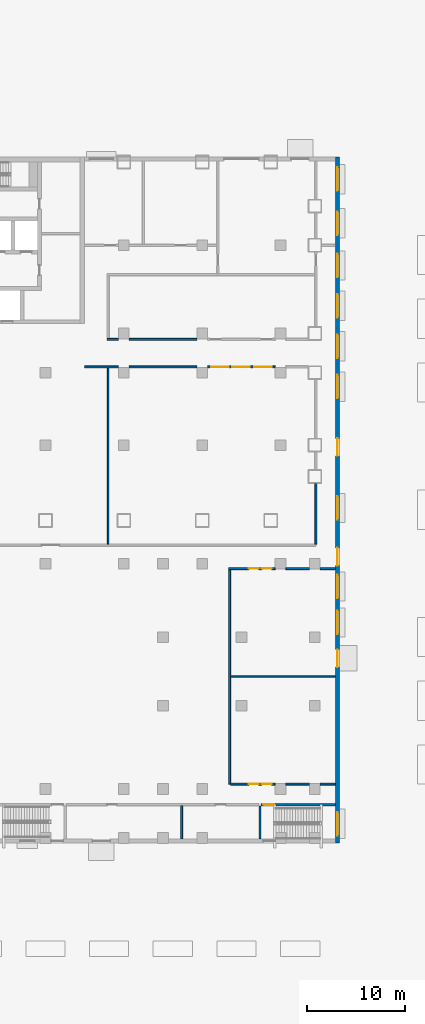
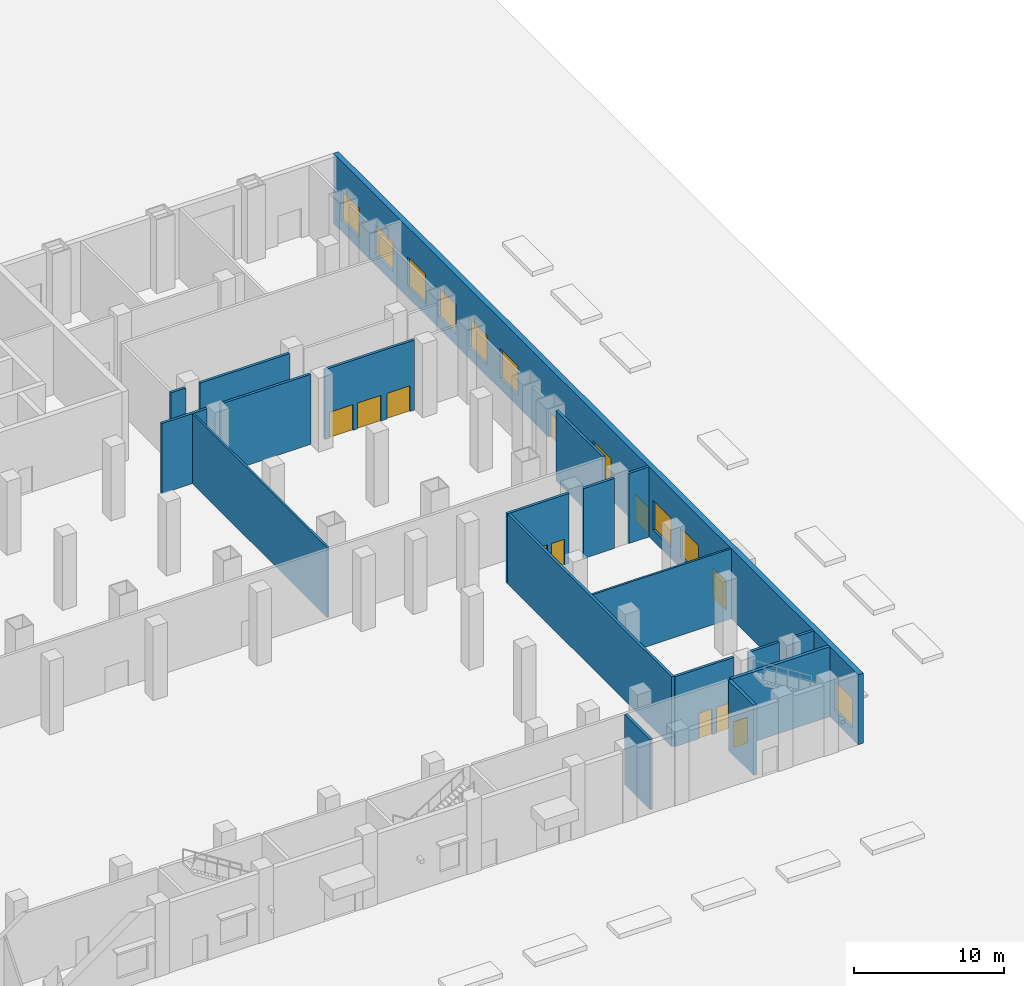
# One storey, part 6 of 18: 19 walls, 11 doors, 10 windows, 21 openings.
"""IFC4 building model written with IfcOpenShell, lengths in metres."""

from ifc_helpers import new_model, si_unit, direction, frame, frame_2d, origin, place, context, subcontext, project, spatial, rectangle, extrude, material, layer, layer_set, type_object, element, fill, save


model = new_model("IFC4")

# Units and contexts
model_context = context("Model", 3, precision=1e-05, world=origin(), true_north=direction((0.0, 1.0)))
body_context = subcontext(model_context, "Body", "Model", "MODEL_VIEW")
ifc_project = project(units=[si_unit("LENGTHUNIT", "METRE"), si_unit("AREAUNIT", "SQUARE_METRE"), si_unit("VOLUMEUNIT", "CUBIC_METRE"), si_unit("PLANEANGLEUNIT", "RADIAN"), si_unit("MASSUNIT", "GRAM", prefix="KILO")], contexts=[model_context])

# Site, building, storey
site_placement = place(None, origin())
site = spatial("IfcSite", under=ifc_project, at=site_placement, CompositionType="ELEMENT")
building_placement = place(site_placement, origin())
building = spatial("IfcBuilding", under=site, at=building_placement, Name="Vidyagriha Tower", CompositionType="ELEMENT")
storey_placement = place(building_placement, origin())
storey = spatial("IfcBuildingStorey", under=building, at=storey_placement, Name="L00", CompositionType="ELEMENT", Elevation=0.0)

# Wall, openings, doors, windows
ifc_material_1 = material(Name="Concrete C40/50 board-marked with brick facing", Category="concrete")
ifc_layer_1 = layer(ifc_material_1, 0.39990234375)
ifc_layer_set_1 = layer_set([ifc_layer_1], Name="Concrete C40/50 board-marked with brick facing")
wall_type_1 = type_object("IfcWallType", Name="Brick-faced board-marked concrete podium wall 400", PredefinedType="STANDARD", material=ifc_layer_set_1)
wall_1_placement = place(storey_placement, frame((39.800048828125, -50.0, 0.0), z_axis=(0.0, 0.0, 1.0), x_axis=(0.0, 1.0, 0.0)))
wall_1 = element("IfcWall", 1, at=wall_1_placement, inside=storey, type_object=wall_type_1, Name="Podium wall L00 R01", PredefinedType="STANDARD", context=body_context, shape_type="SweptSolid", body=[
    extrude(rectangle(XDim=70.0, YDim=0.39990234375, at=frame_2d((35.0, 0.0))), origin(), (0.0, 0.0, 1.0), 5.699951171875),
])
opening_1_placement = place(wall_1_placement, frame((17.933349609375, 0.0, 0.0)))
opening_1 = element("IfcOpeningElement", 2, at=opening_1_placement, cuts=wall_1, Name="Opening D00-01", PredefinedType="OPENING", context=body_context, shape_type="SweptSolid", body=[
    extrude(rectangle(XDim=1.800048828125, YDim=2.39990234375, at=frame_2d((0.89990234375, 1.199951171875))), frame((0.0, 0.2099609375, 0.0), z_axis=(0.0, -1.0, 0.0), x_axis=(1.0, 0.0, 0.0)), (0.0, 0.0, 1.0), 0.419921875),
])
opening_2_placement = place(wall_1_placement, frame((0.75, 0.0, 0.89990234375)))
opening_2 = element("IfcOpeningElement", 3, at=opening_2_placement, cuts=wall_1, Name="Opening WN4", PredefinedType="OPENING", context=body_context, shape_type="SweptSolid", body=[
    extrude(rectangle(XDim=2.39990234375, YDim=2.39990234375, at=frame_2d((1.199951171875, 1.199951171875))), frame((0.0, 0.2099609375, 0.0), z_axis=(0.0, -1.0, 0.0), x_axis=(1.0, 0.0, 0.0)), (0.0, 0.0, 1.0), 0.419921875),
])
opening_3_placement = place(wall_1_placement, frame((21.300048828125, 0.0, 0.89990234375)))
opening_3 = element("IfcOpeningElement", 4, at=opening_3_placement, cuts=wall_1, Name="Opening WN4", PredefinedType="OPENING", context=body_context, shape_type="SweptSolid", body=[
    extrude(rectangle(XDim=2.39990234375, YDim=2.39990234375, at=frame_2d((1.199951171875, 1.199951171875))), frame((0.0, 0.2099609375, 0.0), z_axis=(0.0, -1.0, 0.0), x_axis=(1.0, 0.0, 0.0)), (0.0, 0.0, 1.0), 0.419921875),
])
opening_4_placement = place(wall_1_placement, frame((24.966796875, 0.0, 0.89990234375)))
opening_4 = element("IfcOpeningElement", 5, at=opening_4_placement, cuts=wall_1, Name="Opening WN4", PredefinedType="OPENING", context=body_context, shape_type="SweptSolid", body=[
    extrude(rectangle(XDim=2.39990234375, YDim=2.39990234375, at=frame_2d((1.199951171875, 1.199951171875))), frame((0.0, 0.2099609375, 0.0), z_axis=(0.0, -1.0, 0.0), x_axis=(1.0, 0.0, 0.0)), (0.0, 0.0, 1.0), 0.419921875),
])
opening_5_placement = place(wall_1_placement, frame((32.987548828125, 0.0, 0.89990234375)))
opening_5 = element("IfcOpeningElement", 6, at=opening_5_placement, cuts=wall_1, Name="Opening WN4", PredefinedType="OPENING", context=body_context, shape_type="SweptSolid", body=[
    extrude(rectangle(XDim=2.39990234375, YDim=2.39990234375, at=frame_2d((1.199951171875, 1.199951171875))), frame((0.0, 0.2099609375, 0.0), z_axis=(0.0, -1.0, 0.0), x_axis=(1.0, 0.0, 0.0)), (0.0, 0.0, 1.0), 0.419921875),
])
opening_6_placement = place(wall_1_placement, frame((45.362548828125, 0.0, 0.89990234375)))
opening_6 = element("IfcOpeningElement", 7, at=opening_6_placement, cuts=wall_1, Name="Opening WN4", PredefinedType="OPENING", context=body_context, shape_type="SweptSolid", body=[
    extrude(rectangle(XDim=2.39990234375, YDim=2.39990234375, at=frame_2d((1.199951171875, 1.199951171875))), frame((0.0, 0.2099609375, 0.0), z_axis=(0.0, -1.0, 0.0), x_axis=(1.0, 0.0, 0.0)), (0.0, 0.0, 1.0), 0.419921875),
])
opening_7_placement = place(wall_1_placement, frame((49.487548828125, 0.0, 0.89990234375)))
opening_7 = element("IfcOpeningElement", 8, at=opening_7_placement, cuts=wall_1, Name="Opening WN4", PredefinedType="OPENING", context=body_context, shape_type="SweptSolid", body=[
    extrude(rectangle(XDim=2.39990234375, YDim=2.39990234375, at=frame_2d((1.199951171875, 1.199951171875))), frame((0.0, 0.2099609375, 0.0), z_axis=(0.0, -1.0, 0.0), x_axis=(1.0, 0.0, 0.0)), (0.0, 0.0, 1.0), 0.419921875),
])
opening_8_placement = place(wall_1_placement, frame((53.612548828125, 0.0, 0.89990234375)))
opening_8 = element("IfcOpeningElement", 9, at=opening_8_placement, cuts=wall_1, Name="Opening WN4", PredefinedType="OPENING", context=body_context, shape_type="SweptSolid", body=[
    extrude(rectangle(XDim=2.39990234375, YDim=2.39990234375, at=frame_2d((1.199951171875, 1.199951171875))), frame((0.0, 0.2099609375, 0.0), z_axis=(0.0, -1.0, 0.0), x_axis=(1.0, 0.0, 0.0)), (0.0, 0.0, 1.0), 0.419921875),
])
opening_9_placement = place(wall_1_placement, frame((57.737548828125, 0.0, 0.89990234375)))
opening_9 = element("IfcOpeningElement", 10, at=opening_9_placement, cuts=wall_1, Name="Opening WN4", PredefinedType="OPENING", context=body_context, shape_type="SweptSolid", body=[
    extrude(rectangle(XDim=2.39990234375, YDim=2.39990234375, at=frame_2d((1.199951171875, 1.199951171875))), frame((0.0, 0.2099609375, 0.0), z_axis=(0.0, -1.0, 0.0), x_axis=(1.0, 0.0, 0.0)), (0.0, 0.0, 1.0), 0.419921875),
])
opening_10_placement = place(wall_1_placement, frame((62.050048828125, 0.0, 0.89990234375)))
opening_10 = element("IfcOpeningElement", 11, at=opening_10_placement, cuts=wall_1, Name="Opening WN4", PredefinedType="OPENING", context=body_context, shape_type="SweptSolid", body=[
    extrude(rectangle(XDim=2.39990234375, YDim=2.39990234375, at=frame_2d((1.199951171875, 1.199951171875))), frame((0.0, 0.2099609375, 0.0), z_axis=(0.0, -1.0, 0.0), x_axis=(1.0, 0.0, 0.0)), (0.0, 0.0, 1.0), 0.419921875),
])
opening_11_placement = place(wall_1_placement, frame((66.550048828125, 0.0, 0.89990234375)))
opening_11 = element("IfcOpeningElement", 12, at=opening_11_placement, cuts=wall_1, Name="Opening WN4", PredefinedType="OPENING", context=body_context, shape_type="SweptSolid", body=[
    extrude(rectangle(XDim=2.39990234375, YDim=2.39990234375, at=frame_2d((1.199951171875, 1.199951171875))), frame((0.0, 0.2099609375, 0.0), z_axis=(0.0, -1.0, 0.0), x_axis=(1.0, 0.0, 0.0)), (0.0, 0.0, 1.0), 0.419921875),
])
opening_12_placement = place(wall_1_placement, frame((39.5, 0.0, 0.0)))
opening_12 = element("IfcOpeningElement", 13, at=opening_12_placement, cuts=wall_1, Name="Opening D00-67", PredefinedType="OPENING", context=body_context, shape_type="SweptSolid", body=[
    extrude(rectangle(XDim=1.800048828125, YDim=2.10009765625, at=frame_2d((0.89990234375, 1.050048828125))), frame((0.0, 0.2099609375, 0.0), z_axis=(0.0, -1.0, 0.0), x_axis=(1.0, 0.0, 0.0)), (0.0, 0.0, 1.0), 0.419921875),
])
opening_13_placement = place(wall_1_placement, frame((28.300048828125, 0.0, 0.0)))
opening_13 = element("IfcOpeningElement", 14, at=opening_13_placement, cuts=wall_1, Name="Opening D00-69", PredefinedType="OPENING", context=body_context, shape_type="SweptSolid", body=[
    extrude(rectangle(XDim=1.800048828125, YDim=2.10009765625, at=frame_2d((0.89990234375, 1.050048828125))), frame((0.0, 0.2099609375, 0.0), z_axis=(0.0, -1.0, 0.0), x_axis=(1.0, 0.0, 0.0)), (0.0, 0.0, 1.0), 0.419921875),
])
ifc_material_2 = material(Name="Aluminium and glass door", Category="aluminium")
door_type_1 = type_object("IfcDoorType", Name="Entrance double leaf glazed door 1800x2400", OperationType="NOTDEFINED", PredefinedType="DOOR", material=ifc_material_2)
door_1_placement = place(opening_1_placement, frame((1.800048828125, 0.0, 0.0), z_axis=(0.0, 0.0, 1.0), x_axis=(-1.0, 0.0, 0.0)))
door_1 = element("IfcDoor", 15, at=door_1_placement, inside=storey, type_object=door_type_1, Name="Stair exit D00-01", OperationType="DOUBLE_DOOR_SINGLE_SWING", OverallHeight=2.39990234375, OverallWidth=1.800048828125, PredefinedType="DOOR", context=body_context, shape_type="SweptSolid", body=[
    extrude(rectangle(XDim=1.800048828125, YDim=2.39990234375, at=frame_2d((0.89990234375, 1.199951171875))), frame((0.0, 0.02490234375, 0.0), z_axis=(0.0, -1.0, 0.0), x_axis=(1.0, 0.0, 0.0)), (0.0, 0.0, 1.0), 0.050048828125),
])
fill(opening_1, door_1)
ifc_material_3 = material(Name="Aluminium and glass window", Category="aluminium")
window_type = type_object("IfcWindowType", Name="Ground storey school window 2400x2400", PartitioningType="NOTDEFINED", PredefinedType="WINDOW", material=ifc_material_3)
window_1_placement = place(opening_2_placement, origin())
window_1 = element("IfcWindow", 16, at=window_1_placement, inside=storey, type_object=window_type, Name="School window L00 R01.1", OverallHeight=2.39990234375, OverallWidth=2.39990234375, PartitioningType="SINGLE_PANEL", PredefinedType="WINDOW", context=body_context, shape_type="SweptSolid", body=[
    extrude(rectangle(XDim=2.39990234375, YDim=2.39990234375, at=frame_2d((1.199951171875, 1.199951171875))), frame((0.0, 0.030029296875, 0.0), z_axis=(0.0, -1.0, 0.0), x_axis=(1.0, 0.0, 0.0)), (0.0, 0.0, 1.0), 0.06005859375),
])
fill(opening_2, window_1)
window_2_placement = place(opening_3_placement, origin())
window_2 = element("IfcWindow", 17, at=window_2_placement, inside=storey, type_object=window_type, Name="School window L00 R01.8", OverallHeight=2.39990234375, OverallWidth=2.39990234375, PartitioningType="SINGLE_PANEL", PredefinedType="WINDOW", context=body_context, shape_type="SweptSolid", body=[
    extrude(rectangle(XDim=2.39990234375, YDim=2.39990234375, at=frame_2d((1.199951171875, 1.199951171875))), frame((0.0, 0.030029296875, 0.0), z_axis=(0.0, -1.0, 0.0), x_axis=(1.0, 0.0, 0.0)), (0.0, 0.0, 1.0), 0.06005859375),
])
fill(opening_3, window_2)
window_3_placement = place(opening_4_placement, origin())
window_3 = element("IfcWindow", 18, at=window_3_placement, inside=storey, type_object=window_type, Name="School window L00 R01.9", OverallHeight=2.39990234375, OverallWidth=2.39990234375, PartitioningType="SINGLE_PANEL", PredefinedType="WINDOW", context=body_context, shape_type="SweptSolid", body=[
    extrude(rectangle(XDim=2.39990234375, YDim=2.39990234375, at=frame_2d((1.199951171875, 1.199951171875))), frame((0.0, 0.030029296875, 0.0), z_axis=(0.0, -1.0, 0.0), x_axis=(1.0, 0.0, 0.0)), (0.0, 0.0, 1.0), 0.06005859375),
])
fill(opening_4, window_3)
window_4_placement = place(opening_5_placement, origin())
window_4 = element("IfcWindow", 19, at=window_4_placement, inside=storey, type_object=window_type, Name="School window L00 R01.11", OverallHeight=2.39990234375, OverallWidth=2.39990234375, PartitioningType="SINGLE_PANEL", PredefinedType="WINDOW", context=body_context, shape_type="SweptSolid", body=[
    extrude(rectangle(XDim=2.39990234375, YDim=2.39990234375, at=frame_2d((1.199951171875, 1.199951171875))), frame((0.0, 0.030029296875, 0.0), z_axis=(0.0, -1.0, 0.0), x_axis=(1.0, 0.0, 0.0)), (0.0, 0.0, 1.0), 0.06005859375),
])
fill(opening_5, window_4)
window_5_placement = place(opening_6_placement, origin())
window_5 = element("IfcWindow", 20, at=window_5_placement, inside=storey, type_object=window_type, Name="School window L00 R01.14", OverallHeight=2.39990234375, OverallWidth=2.39990234375, PartitioningType="SINGLE_PANEL", PredefinedType="WINDOW", context=body_context, shape_type="SweptSolid", body=[
    extrude(rectangle(XDim=2.39990234375, YDim=2.39990234375, at=frame_2d((1.199951171875, 1.199951171875))), frame((0.0, 0.030029296875, 0.0), z_axis=(0.0, -1.0, 0.0), x_axis=(1.0, 0.0, 0.0)), (0.0, 0.0, 1.0), 0.06005859375),
])
fill(opening_6, window_5)
window_6_placement = place(opening_7_placement, origin())
window_6 = element("IfcWindow", 21, at=window_6_placement, inside=storey, type_object=window_type, Name="School window L00 R01.15", OverallHeight=2.39990234375, OverallWidth=2.39990234375, PartitioningType="SINGLE_PANEL", PredefinedType="WINDOW", context=body_context, shape_type="SweptSolid", body=[
    extrude(rectangle(XDim=2.39990234375, YDim=2.39990234375, at=frame_2d((1.199951171875, 1.199951171875))), frame((0.0, 0.030029296875, 0.0), z_axis=(0.0, -1.0, 0.0), x_axis=(1.0, 0.0, 0.0)), (0.0, 0.0, 1.0), 0.06005859375),
])
fill(opening_7, window_6)
window_7_placement = place(opening_8_placement, origin())
window_7 = element("IfcWindow", 22, at=window_7_placement, inside=storey, type_object=window_type, Name="School window L00 R01.16", OverallHeight=2.39990234375, OverallWidth=2.39990234375, PartitioningType="SINGLE_PANEL", PredefinedType="WINDOW", context=body_context, shape_type="SweptSolid", body=[
    extrude(rectangle(XDim=2.39990234375, YDim=2.39990234375, at=frame_2d((1.199951171875, 1.199951171875))), frame((0.0, 0.030029296875, 0.0), z_axis=(0.0, -1.0, 0.0), x_axis=(1.0, 0.0, 0.0)), (0.0, 0.0, 1.0), 0.06005859375),
])
fill(opening_8, window_7)
window_8_placement = place(opening_9_placement, origin())
window_8 = element("IfcWindow", 23, at=window_8_placement, inside=storey, type_object=window_type, Name="School window L00 R01.17", OverallHeight=2.39990234375, OverallWidth=2.39990234375, PartitioningType="SINGLE_PANEL", PredefinedType="WINDOW", context=body_context, shape_type="SweptSolid", body=[
    extrude(rectangle(XDim=2.39990234375, YDim=2.39990234375, at=frame_2d((1.199951171875, 1.199951171875))), frame((0.0, 0.030029296875, 0.0), z_axis=(0.0, -1.0, 0.0), x_axis=(1.0, 0.0, 0.0)), (0.0, 0.0, 1.0), 0.06005859375),
])
fill(opening_9, window_8)
window_9_placement = place(opening_10_placement, origin())
window_9 = element("IfcWindow", 24, at=window_9_placement, inside=storey, type_object=window_type, Name="School window L00 R01.18", OverallHeight=2.39990234375, OverallWidth=2.39990234375, PartitioningType="SINGLE_PANEL", PredefinedType="WINDOW", context=body_context, shape_type="SweptSolid", body=[
    extrude(rectangle(XDim=2.39990234375, YDim=2.39990234375, at=frame_2d((1.199951171875, 1.199951171875))), frame((0.0, 0.030029296875, 0.0), z_axis=(0.0, -1.0, 0.0), x_axis=(1.0, 0.0, 0.0)), (0.0, 0.0, 1.0), 0.06005859375),
])
fill(opening_10, window_9)
window_10_placement = place(opening_11_placement, origin())
window_10 = element("IfcWindow", 25, at=window_10_placement, inside=storey, type_object=window_type, Name="School window L00 R01.19", OverallHeight=2.39990234375, OverallWidth=2.39990234375, PartitioningType="SINGLE_PANEL", PredefinedType="WINDOW", context=body_context, shape_type="SweptSolid", body=[
    extrude(rectangle(XDim=2.39990234375, YDim=2.39990234375, at=frame_2d((1.199951171875, 1.199951171875))), frame((0.0, 0.030029296875, 0.0), z_axis=(0.0, -1.0, 0.0), x_axis=(1.0, 0.0, 0.0)), (0.0, 0.0, 1.0), 0.06005859375),
])
fill(opening_11, window_10)
ifc_material_4 = material(Name="Painted hardwood door set", Category="wood")
door_type_2 = type_object("IfcDoorType", Name="Podium Door 1800x2100 NOT RATED Pair", OperationType="NOTDEFINED", PredefinedType="DOOR", material=ifc_material_4)
door_2_placement = place(opening_12_placement, frame((1.800048828125, 0.0, 0.0), z_axis=(0.0, 0.0, 1.0), x_axis=(-1.0, 0.0, 0.0)))
door_2 = element("IfcDoor", 26, at=door_2_placement, inside=storey, type_object=door_type_2, Name="L00 Gallery exit east D00-67", OperationType="DOUBLE_DOOR_SINGLE_SWING", OverallHeight=2.10009765625, OverallWidth=1.800048828125, PredefinedType="DOOR", context=body_context, shape_type="SweptSolid", body=[
    extrude(rectangle(XDim=1.800048828125, YDim=2.10009765625, at=frame_2d((0.89990234375, 1.050048828125))), frame((0.0, 0.02490234375, 0.0), z_axis=(0.0, -1.0, 0.0), x_axis=(1.0, 0.0, 0.0)), (0.0, 0.0, 1.0), 0.050048828125),
])
fill(opening_12, door_2)
door_3_placement = place(opening_13_placement, frame((1.800048828125, 0.0, 0.0), z_axis=(0.0, 0.0, 1.0), x_axis=(-1.0, 0.0, 0.0)))
door_3 = element("IfcDoor", 27, at=door_3_placement, inside=storey, type_object=door_type_2, Name="L00 North gallery exit east D00-69", OperationType="DOUBLE_DOOR_SINGLE_SWING", OverallHeight=2.10009765625, OverallWidth=1.800048828125, PredefinedType="DOOR", context=body_context, shape_type="SweptSolid", body=[
    extrude(rectangle(XDim=1.800048828125, YDim=2.10009765625, at=frame_2d((0.89990234375, 1.050048828125))), frame((0.0, 0.02490234375, 0.0), z_axis=(0.0, -1.0, 0.0), x_axis=(1.0, 0.0, 0.0)), (0.0, 0.0, 1.0), 0.050048828125),
])
fill(opening_13, door_3)

# Wall, opening, door
ifc_material_5 = material(Name="Concrete C32/40", Category="concrete")
ifc_layer_2 = layer(ifc_material_5, 0.25)
ifc_layer_set_2 = layer_set([ifc_layer_2], Name="Concrete C32/40")
wall_type_2 = type_object("IfcWallType", Name="Concrete Stair Enclosure Wall 250", PredefinedType="SOLIDWALL", material=ifc_layer_set_2)
wall_2_placement = place(storey_placement, frame((32.02490234375, -46.10009765625, 0.0)))
wall_2 = element("IfcWall", 28, at=wall_2_placement, inside=storey, type_object=wall_type_2, Name="L00 Concrete Stair Enclosure Wall 250 006", PredefinedType="SOLIDWALL", context=body_context, shape_type="SweptSolid", body=[
    extrude(rectangle(XDim=7.5751953125, YDim=0.25, at=frame_2d((3.78759765625, 0.0))), origin(), (0.0, 0.0, 1.0), 5.699951171875),
])
opening_14_placement = place(wall_2_placement, frame((0.219970703125, 0.0, 0.0)))
opening_14 = element("IfcOpeningElement", 29, at=opening_14_placement, cuts=wall_2, Name="Opening D00-59", PredefinedType="OPENING", context=body_context, shape_type="SweptSolid", body=[
    extrude(rectangle(XDim=1.10009765625, YDim=2.10009765625, at=frame_2d((0.550048828125, 1.050048828125))), frame((0.0, 0.135009765625, 0.0), z_axis=(0.0, -1.0, 0.0), x_axis=(1.0, 0.0, 0.0)), (0.0, 0.0, 1.0), 0.27001953125),
])
ifc_material_6 = material(Name="Steel fire door set", Category="steel")
door_type_3 = type_object("IfcDoorType", Name="Podium Door 1100x2100 EI 90", OperationType="NOTDEFINED", PredefinedType="DOOR", material=ifc_material_6)
door_4_placement = place(opening_14_placement, origin())
door_4 = element("IfcDoor", 30, at=door_4_placement, inside=storey, type_object=door_type_3, Name="L00 door D00-59", OperationType="SINGLE_SWING_LEFT", OverallHeight=2.10009765625, OverallWidth=1.10009765625, PredefinedType="DOOR", context=body_context, shape_type="SweptSolid", body=[
    extrude(rectangle(XDim=1.10009765625, YDim=2.10009765625, at=frame_2d((0.550048828125, 1.050048828125))), frame((0.0, 0.02490234375, 0.0), z_axis=(0.0, -1.0, 0.0), x_axis=(1.0, 0.0, 0.0)), (0.0, 0.0, 1.0), 0.050048828125),
])
fill(opening_14, door_4)

# Wall
wall_3_placement = place(storey_placement, frame((31.89990234375, -49.60009765625, 0.0), z_axis=(0.0, 0.0, 1.0), x_axis=(0.0, 1.0, 0.0)))
element("IfcWall", 31, at=wall_3_placement, inside=storey, type_object=wall_type_2, Name="L00 Concrete Stair Enclosure Wall 250 073", PredefinedType="SOLIDWALL", context=body_context, shape_type="SweptSolid", body=[
    extrude(rectangle(XDim=3.375, YDim=0.25, at=frame_2d((1.6875, 0.0))), origin(), (0.0, 0.0, 1.0), 5.699951171875),
])

# Wall, openings, doors
ifc_material_7 = material(Name="Fire rated gypsum board on light gauge framing")
ifc_layer_3 = layer(ifc_material_7, 0.199951171875)
ifc_layer_set_3 = layer_set([ifc_layer_3], Name="Fire rated gypsum board on light gauge framing")
wall_type_3 = type_object("IfcWallType", Name="Fire Rated Corridor Wall 200", PredefinedType="PARTITIONING", material=ifc_layer_set_3)
wall_4_placement = place(storey_placement, frame((28.900146484375, -44.0, 0.0)))
wall_4 = element("IfcWall", 32, at=wall_4_placement, inside=storey, type_object=wall_type_3, Name="L00 Fire Rated Corridor Wall 200 010", PredefinedType="PARTITIONING", context=body_context, shape_type="SweptSolid", body=[
    extrude(rectangle(XDim=4.5498046875, YDim=0.199951171875, at=frame_2d((2.27490234375, 0.0))), origin(), (0.0, 0.0, 1.0), 5.699951171875),
])
opening_15_placement = place(wall_4_placement, frame((1.864013671875, 0.0, 0.0)))
opening_15 = element("IfcOpeningElement", 33, at=opening_15_placement, cuts=wall_4, Name="Opening D00-38", PredefinedType="OPENING", context=body_context, shape_type="SweptSolid", body=[
    extrude(rectangle(XDim=1.0, YDim=2.10009765625, at=frame_2d((0.5, 1.050048828125))), frame((0.0, 0.10986328125, 0.0), z_axis=(0.0, -1.0, 0.0), x_axis=(1.0, 0.0, 0.0)), (0.0, 0.0, 1.0), 0.219970703125),
])
opening_16_placement = place(wall_4_placement, frame((3.199951171875, 0.0, 0.0)))
opening_16 = element("IfcOpeningElement", 34, at=opening_16_placement, cuts=wall_4, Name="Opening D00-39", PredefinedType="OPENING", context=body_context, shape_type="SweptSolid", body=[
    extrude(rectangle(XDim=1.0, YDim=2.10009765625, at=frame_2d((0.5, 1.050048828125))), frame((0.0, 0.10986328125, 0.0), z_axis=(0.0, -1.0, 0.0), x_axis=(1.0, 0.0, 0.0)), (0.0, 0.0, 1.0), 0.219970703125),
])
ifc_material_8 = material(Name="Steel fire door set", Category="steel")
door_type_4 = type_object("IfcDoorType", Name="Podium Door 1000x2100 EI 30", OperationType="NOTDEFINED", PredefinedType="DOOR", material=ifc_material_8)
door_5_placement = place(opening_15_placement, origin())
door_5 = element("IfcDoor", 35, at=door_5_placement, inside=storey, type_object=door_type_4, Name="L00 door D00-38", OperationType="SINGLE_SWING_RIGHT", OverallHeight=2.10009765625, OverallWidth=1.0, PredefinedType="DOOR", context=body_context, shape_type="SweptSolid", body=[
    extrude(rectangle(XDim=1.0, YDim=2.10009765625, at=frame_2d((0.5, 1.050048828125))), frame((0.0, 0.02490234375, 0.0), z_axis=(0.0, -1.0, 0.0), x_axis=(1.0, 0.0, 0.0)), (0.0, 0.0, 1.0), 0.050048828125),
])
fill(opening_15, door_5)
door_6_placement = place(opening_16_placement, origin())
door_6 = element("IfcDoor", 36, at=door_6_placement, inside=storey, type_object=door_type_4, Name="L00 door D00-39", OperationType="SINGLE_SWING_RIGHT", OverallHeight=2.10009765625, OverallWidth=1.0, PredefinedType="DOOR", context=body_context, shape_type="SweptSolid", body=[
    extrude(rectangle(XDim=1.0, YDim=2.10009765625, at=frame_2d((0.5, 1.050048828125))), frame((0.0, 0.02490234375, 0.0), z_axis=(0.0, -1.0, 0.0), x_axis=(1.0, 0.0, 0.0)), (0.0, 0.0, 1.0), 0.050048828125),
])
fill(opening_16, door_6)

# Walls
wall_5_placement = place(storey_placement, frame((34.550048828125, -44.0, 0.0)))
element("IfcWall", 37, at=wall_5_placement, inside=storey, type_object=wall_type_3, Name="L00 Fire Rated Corridor Wall 200 011", PredefinedType="PARTITIONING", context=body_context, shape_type="SweptSolid", body=[
    extrude(rectangle(XDim=2.39990234375, YDim=0.199951171875, at=frame_2d((1.199951171875, 0.0))), origin(), (0.0, 0.0, 1.0), 5.699951171875),
])
wall_6_placement = place(storey_placement, frame((38.050048828125, -44.0, 0.0)))
element("IfcWall", 38, at=wall_6_placement, inside=storey, type_object=wall_type_3, Name="L00 Fire Rated Corridor Wall 200 012", PredefinedType="PARTITIONING", context=body_context, shape_type="SweptSolid", body=[
    extrude(rectangle(XDim=1.550048828125, YDim=0.199951171875, at=frame_2d((0.77490234375, 0.0))), origin(), (0.0, 0.0, 1.0), 5.699951171875),
])

# Wall, openings, doors
wall_7_placement = place(storey_placement, frame((28.7001953125, -22.0, 0.0)))
wall_7 = element("IfcWall", 39, at=wall_7_placement, inside=storey, type_object=wall_type_3, Name="L00 Fire Rated Corridor Wall 200 018", PredefinedType="PARTITIONING", context=body_context, shape_type="SweptSolid", body=[
    extrude(rectangle(XDim=4.749755859375, YDim=0.199951171875, at=frame_2d((2.375, 0.0))), origin(), (0.0, 0.0, 1.0), 5.699951171875),
])
opening_17_placement = place(wall_7_placement, frame((2.06396484375, 0.0, 0.0)))
opening_17 = element("IfcOpeningElement", 40, at=opening_17_placement, cuts=wall_7, Name="Opening D00-40", PredefinedType="OPENING", context=body_context, shape_type="SweptSolid", body=[
    extrude(rectangle(XDim=1.0, YDim=2.10009765625, at=frame_2d((0.5, 1.050048828125))), frame((0.0, 0.10986328125, 0.0), z_axis=(0.0, -1.0, 0.0), x_axis=(1.0, 0.0, 0.0)), (0.0, 0.0, 1.0), 0.219970703125),
])
opening_18_placement = place(wall_7_placement, frame((3.39990234375, 0.0, 0.0)))
opening_18 = element("IfcOpeningElement", 41, at=opening_18_placement, cuts=wall_7, Name="Opening D00-41", PredefinedType="OPENING", context=body_context, shape_type="SweptSolid", body=[
    extrude(rectangle(XDim=1.0, YDim=2.10009765625, at=frame_2d((0.5, 1.050048828125))), frame((0.0, 0.10986328125, 0.0), z_axis=(0.0, -1.0, 0.0), x_axis=(1.0, 0.0, 0.0)), (0.0, 0.0, 1.0), 0.219970703125),
])
door_7_placement = place(opening_17_placement, frame((1.0, 0.0, 0.0), z_axis=(0.0, 0.0, 1.0), x_axis=(-1.0, 0.0, 0.0)))
door_7 = element("IfcDoor", 42, at=door_7_placement, inside=storey, type_object=door_type_4, Name="L00 door D00-40", OperationType="SINGLE_SWING_RIGHT", OverallHeight=2.10009765625, OverallWidth=1.0, PredefinedType="DOOR", context=body_context, shape_type="SweptSolid", body=[
    extrude(rectangle(XDim=1.0, YDim=2.10009765625, at=frame_2d((0.5, 1.050048828125))), frame((0.0, 0.02490234375, 0.0), z_axis=(0.0, -1.0, 0.0), x_axis=(1.0, 0.0, 0.0)), (0.0, 0.0, 1.0), 0.050048828125),
])
fill(opening_17, door_7)
door_8_placement = place(opening_18_placement, frame((1.0, 0.0, 0.0), z_axis=(0.0, 0.0, 1.0), x_axis=(-1.0, 0.0, 0.0)))
door_8 = element("IfcDoor", 43, at=door_8_placement, inside=storey, type_object=door_type_4, Name="L00 door D00-41", OperationType="SINGLE_SWING_RIGHT", OverallHeight=2.10009765625, OverallWidth=1.0, PredefinedType="DOOR", context=body_context, shape_type="SweptSolid", body=[
    extrude(rectangle(XDim=1.0, YDim=2.10009765625, at=frame_2d((0.5, 1.050048828125))), frame((0.0, 0.02490234375, 0.0), z_axis=(0.0, -1.0, 0.0), x_axis=(1.0, 0.0, 0.0)), (0.0, 0.0, 1.0), 0.050048828125),
])
fill(opening_18, door_8)

# Walls
wall_8_placement = place(storey_placement, frame((34.550048828125, -22.0, 0.0)))
element("IfcWall", 44, at=wall_8_placement, inside=storey, type_object=wall_type_3, Name="L00 Fire Rated Corridor Wall 200 019", PredefinedType="PARTITIONING", context=body_context, shape_type="SweptSolid", body=[
    extrude(rectangle(XDim=2.39990234375, YDim=0.199951171875, at=frame_2d((1.199951171875, 0.0))), origin(), (0.0, 0.0, 1.0), 5.699951171875),
])
wall_9_placement = place(storey_placement, frame((38.050048828125, -22.0, 0.0)))
element("IfcWall", 45, at=wall_9_placement, inside=storey, type_object=wall_type_3, Name="L00 Fire Rated Corridor Wall 200 020", PredefinedType="PARTITIONING", context=body_context, shape_type="SweptSolid", body=[
    extrude(rectangle(XDim=1.550048828125, YDim=0.199951171875, at=frame_2d((0.77490234375, 0.0))), origin(), (0.0, 0.0, 1.0), 5.699951171875),
])
wall_10_placement = place(storey_placement, frame((14.0, -1.39990234375, 0.0)))
element("IfcWall", 46, at=wall_10_placement, inside=storey, type_object=wall_type_3, Name="L00 Fire Rated Corridor Wall 200 025", PredefinedType="PARTITIONING", context=body_context, shape_type="SweptSolid", body=[
    extrude(rectangle(XDim=3.449951171875, YDim=0.199951171875, at=frame_2d((1.72509765625, 0.0))), origin(), (0.0, 0.0, 1.0), 5.699951171875),
])
wall_11_placement = place(storey_placement, frame((18.550048828125, -1.39990234375, 0.0)))
element("IfcWall", 47, at=wall_11_placement, inside=storey, type_object=wall_type_3, Name="L00 Fire Rated Corridor Wall 200 026", PredefinedType="PARTITIONING", context=body_context, shape_type="SweptSolid", body=[
    extrude(rectangle(XDim=6.89990234375, YDim=0.199951171875, at=frame_2d((3.449951171875, 0.0))), origin(), (0.0, 0.0, 1.0), 5.699951171875),
])

# Wall, openings, doors
wall_12_placement = place(storey_placement, frame((26.550048828125, -1.39990234375, 0.0)))
wall_12 = element("IfcWall", 48, at=wall_12_placement, inside=storey, type_object=wall_type_3, Name="L00 Fire Rated Corridor Wall 200 027", PredefinedType="PARTITIONING", context=body_context, shape_type="SweptSolid", body=[
    extrude(rectangle(XDim=6.89990234375, YDim=0.199951171875, at=frame_2d((3.449951171875, 0.0))), origin(), (0.0, 0.0, 1.0), 5.699951171875),
])
opening_19_placement = place(wall_12_placement, frame((0.35009765625, 0.0, 0.0)))
opening_19 = element("IfcOpeningElement", 49, at=opening_19_placement, cuts=wall_12, Name="Opening D00-49", PredefinedType="OPENING", context=body_context, shape_type="SweptSolid", body=[
    extrude(rectangle(XDim=1.800048828125, YDim=2.10009765625, at=frame_2d((0.89990234375, 1.050048828125))), frame((0.0, 0.10986328125, 0.0), z_axis=(0.0, -1.0, 0.0), x_axis=(1.0, 0.0, 0.0)), (0.0, 0.0, 1.0), 0.219970703125),
])
opening_20_placement = place(wall_12_placement, frame((2.5, 0.0, 0.0)))
opening_20 = element("IfcOpeningElement", 50, at=opening_20_placement, cuts=wall_12, Name="Opening D00-50", PredefinedType="OPENING", context=body_context, shape_type="SweptSolid", body=[
    extrude(rectangle(XDim=1.800048828125, YDim=2.10009765625, at=frame_2d((0.89990234375, 1.050048828125))), frame((0.0, 0.10986328125, 0.0), z_axis=(0.0, -1.0, 0.0), x_axis=(1.0, 0.0, 0.0)), (0.0, 0.0, 1.0), 0.219970703125),
])
opening_21_placement = place(wall_12_placement, frame((4.75, 0.0, 0.0)))
opening_21 = element("IfcOpeningElement", 51, at=opening_21_placement, cuts=wall_12, Name="Opening D00-51", PredefinedType="OPENING", context=body_context, shape_type="SweptSolid", body=[
    extrude(rectangle(XDim=1.800048828125, YDim=2.10009765625, at=frame_2d((0.89990234375, 1.050048828125))), frame((0.0, 0.10986328125, 0.0), z_axis=(0.0, -1.0, 0.0), x_axis=(1.0, 0.0, 0.0)), (0.0, 0.0, 1.0), 0.219970703125),
])
ifc_material_9 = material(Name="Steel fire door set", Category="steel")
door_type_5 = type_object("IfcDoorType", Name="Podium Door 1800x2100 EI 30 Pair", OperationType="NOTDEFINED", PredefinedType="DOOR", material=ifc_material_9)
door_9_placement = place(opening_19_placement, origin())
door_9 = element("IfcDoor", 52, at=door_9_placement, inside=storey, type_object=door_type_5, Name="L00 door D00-49", OperationType="DOUBLE_DOOR_SINGLE_SWING", OverallHeight=2.10009765625, OverallWidth=1.800048828125, PredefinedType="DOOR", context=body_context, shape_type="SweptSolid", body=[
    extrude(rectangle(XDim=1.800048828125, YDim=2.10009765625, at=frame_2d((0.89990234375, 1.050048828125))), frame((0.0, 0.02490234375, 0.0), z_axis=(0.0, -1.0, 0.0), x_axis=(1.0, 0.0, 0.0)), (0.0, 0.0, 1.0), 0.050048828125),
])
fill(opening_19, door_9)
door_10_placement = place(opening_20_placement, origin())
door_10 = element("IfcDoor", 53, at=door_10_placement, inside=storey, type_object=door_type_5, Name="L00 door D00-50", OperationType="DOUBLE_DOOR_SINGLE_SWING", OverallHeight=2.10009765625, OverallWidth=1.800048828125, PredefinedType="DOOR", context=body_context, shape_type="SweptSolid", body=[
    extrude(rectangle(XDim=1.800048828125, YDim=2.10009765625, at=frame_2d((0.89990234375, 1.050048828125))), frame((0.0, 0.02490234375, 0.0), z_axis=(0.0, -1.0, 0.0), x_axis=(1.0, 0.0, 0.0)), (0.0, 0.0, 1.0), 0.050048828125),
])
fill(opening_20, door_10)
door_11_placement = place(opening_21_placement, origin())
door_11 = element("IfcDoor", 54, at=door_11_placement, inside=storey, type_object=door_type_5, Name="L00 door D00-51", OperationType="DOUBLE_DOOR_SINGLE_SWING", OverallHeight=2.10009765625, OverallWidth=1.800048828125, PredefinedType="DOOR", context=body_context, shape_type="SweptSolid", body=[
    extrude(rectangle(XDim=1.800048828125, YDim=2.10009765625, at=frame_2d((0.89990234375, 1.050048828125))), frame((0.0, 0.02490234375, 0.0), z_axis=(0.0, -1.0, 0.0), x_axis=(1.0, 0.0, 0.0)), (0.0, 0.0, 1.0), 0.050048828125),
])
fill(opening_21, door_11)

# Walls
wall_13_placement = place(storey_placement, frame((16.300048828125, 1.39990234375, 0.0)))
element("IfcWall", 55, at=wall_13_placement, inside=storey, type_object=wall_type_3, Name="L00 Fire Rated Corridor Wall 200 032", PredefinedType="PARTITIONING", context=body_context, shape_type="SweptSolid", body=[
    extrude(rectangle(XDim=1.14990234375, YDim=0.199951171875, at=frame_2d((0.574951171875, 0.0))), origin(), (0.0, 0.0, 1.0), 5.699951171875),
])
wall_14_placement = place(storey_placement, frame((18.550048828125, 1.39990234375, 0.0)))
element("IfcWall", 56, at=wall_14_placement, inside=storey, type_object=wall_type_3, Name="L00 Fire Rated Corridor Wall 200 033", PredefinedType="PARTITIONING", context=body_context, shape_type="SweptSolid", body=[
    extrude(rectangle(XDim=6.89990234375, YDim=0.199951171875, at=frame_2d((3.449951171875, 0.0))), origin(), (0.0, 0.0, 1.0), 5.699951171875),
])
wall_15_placement = place(storey_placement, frame((23.89990234375, -49.60009765625, 0.0), z_axis=(0.0, 0.0, 1.0), x_axis=(0.0, 1.0, 0.0)))
element("IfcWall", 57, at=wall_15_placement, inside=storey, type_object=wall_type_3, Name="L00 Fire Rated Corridor Wall 200 070", PredefinedType="PARTITIONING", context=body_context, shape_type="SweptSolid", body=[
    extrude(rectangle(XDim=3.400146484375, YDim=0.199951171875, at=frame_2d((1.7001953125, 0.0))), origin(), (0.0, 0.0, 1.0), 5.699951171875),
])
wall_16_placement = place(storey_placement, frame((28.800048828125, -44.0, 0.0), z_axis=(0.0, 0.0, 1.0), x_axis=(0.0, 1.0, 0.0)))
element("IfcWall", 58, at=wall_16_placement, inside=storey, type_object=wall_type_3, Name="L00 Fire Rated Corridor Wall 200 072", PredefinedType="PARTITIONING", context=body_context, shape_type="SweptSolid", body=[
    extrude(rectangle(XDim=21.89990234375, YDim=0.199951171875, at=frame_2d((10.949951171875, 0.0))), origin(), (0.0, 0.0, 1.0), 5.699951171875),
])
wall_17_placement = place(storey_placement, frame((37.60009765625, -19.5, 0.0), z_axis=(0.0, 0.0, 1.0), x_axis=(0.0, 1.0, 0.0)))
element("IfcWall", 59, at=wall_17_placement, inside=storey, type_object=wall_type_3, Name="L00 Fire Rated Corridor Wall 200 074", PredefinedType="PARTITIONING", context=body_context, shape_type="SweptSolid", body=[
    extrude(rectangle(XDim=6.199951171875, YDim=0.199951171875, at=frame_2d((3.10009765625, 0.0))), origin(), (0.0, 0.0, 1.0), 5.699951171875),
])
ifc_material_10 = material(Name="Gypsum board on light gauge framing")
ifc_layer_4 = layer(ifc_material_10, 0.14990234375)
ifc_layer_set_4 = layer_set([ifc_layer_4], Name="Gypsum board on light gauge framing")
wall_type_4 = type_object("IfcWallType", Name="Gypsum Board Partition 150", PredefinedType="PARTITIONING", material=ifc_layer_set_4)
wall_18_placement = place(storey_placement, frame((28.89990234375, -33.0, 0.0)))
element("IfcWall", 60, at=wall_18_placement, inside=storey, type_object=wall_type_4, Name="L00 Gypsum Board Partition 150 014", PredefinedType="PARTITIONING", context=body_context, shape_type="SweptSolid", body=[
    extrude(rectangle(XDim=10.7001953125, YDim=0.14990234375, at=frame_2d((5.35009765625, 0.0))), origin(), (0.0, 0.0, 1.0), 5.699951171875),
])
wall_19_placement = place(storey_placement, frame((16.39990234375, -19.5, 0.0), z_axis=(0.0, 0.0, 1.0), x_axis=(0.0, 1.0, 0.0)))
element("IfcWall", 61, at=wall_19_placement, inside=storey, type_object=wall_type_4, Name="L00 Gypsum Board Partition 150 068", PredefinedType="PARTITIONING", context=body_context, shape_type="SweptSolid", body=[
    extrude(rectangle(XDim=18.0, YDim=0.14990234375, at=frame_2d((9.0, 0.0))), origin(), (0.0, 0.0, 1.0), 5.699951171875),
])

save(model, "model.ifc")
